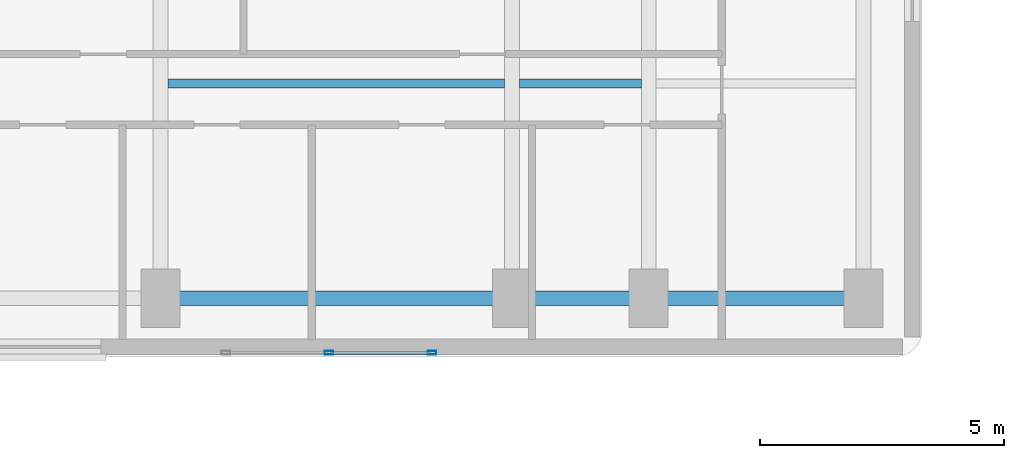
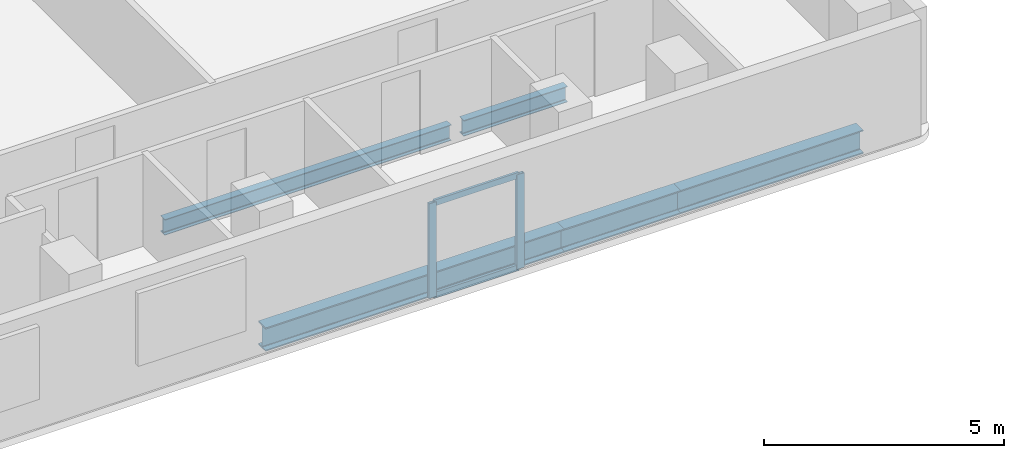
# One storey, part 6 of 15: 5 beams, 4 members, 1 element without a shape of its own.
"""IFC4 building model written with IfcOpenShell, lengths in metres."""

import ifcopenshell
import ifcopenshell.guid

model = None  # the IFC model being written
_history = None  # IfcOwnerHistory: only IFC2X3 demands one
_inside = {}  # id of a spatial element -> (the spatial element, [elements in it])
_under = {}  # id of a project, library or spatial element -> (it, [spatial elements below it])
_declared = {}  # id of a project -> (the project, [libraries it declares])
_typed = {}  # id of a type object -> (the type object, [elements of that type])
_made_of = {}  # id of a material, layer set ... -> (it, [elements and type objects made of it])


def new_model(schema):
    """Start an empty IFC model of exactly this schema.

    Asked for "IFC4X3", IfcOpenShell would pick the latest addendum, in which some entities
    have other attributes; the version numbers below select the first issue.
    IFC2X3 requires an IfcOwnerHistory on every rooted entity: one is made here for all.
    """
    global model, _history
    if schema == "IFC4X3":
        model = ifcopenshell.file(schema_version=(4, 3, 0, 0))
    else:
        model = ifcopenshell.file(schema=schema)
    _inside.clear()
    _under.clear()
    _declared.clear()
    _typed.clear()
    _made_of.clear()
    _history = None
    if model.schema == "IFC2X3":
        org = make("IfcOrganization", Name="unknown")
        user = make(
            "IfcPersonAndOrganization",
            ThePerson=make("IfcPerson", FamilyName="unknown"),
            TheOrganization=org,
        )
        app = make(
            "IfcApplication",
            ApplicationDeveloper=org,
            Version="unknown",
            ApplicationFullName="unknown",
            ApplicationIdentifier="unknown",
        )
        _history = make(
            "IfcOwnerHistory",
            OwningUser=user,
            OwningApplication=app,
            ChangeAction="ADDED",
            CreationDate=0,
        )
    return model


def make(cls, **values):
    """One entity of the class cls with the attributes given. An attribute that is None is left unset."""
    return model.create_entity(
        cls, **{name: value for name, value in values.items() if value is not None}
    )


def rooted(cls, **values):
    """An entity with a GlobalId (a new one), such as an element, a storey or a relation."""
    return make(cls, GlobalId=ifcopenshell.guid.new(), OwnerHistory=_history, **values)


def si_unit(unit_type, name, prefix=None):
    """IfcSIUnit, for example si_unit("LENGTHUNIT", "METRE", prefix="MILLI")."""
    return make("IfcSIUnit", UnitType=unit_type, Prefix=prefix, Name=name)


def assignment(units):
    """IfcUnitAssignment: the units of a project."""
    return None if units is None else make("IfcUnitAssignment", Units=units)


def point(xyz):
    """IfcCartesianPoint."""
    return None if xyz is None else make("IfcCartesianPoint", Coordinates=xyz)


def direction(xyz):
    """IfcDirection."""
    return None if xyz is None else make("IfcDirection", DirectionRatios=xyz)


def frame(location, z_axis=None, x_axis=None):
    """IfcAxis2Placement3D, a coordinate frame: its origin and axes. An axis left out is left unset."""
    return make(
        "IfcAxis2Placement3D",
        Location=point(location),
        Axis=direction(z_axis),
        RefDirection=direction(x_axis),
    )


def frame_2d(location, x_axis=None):
    """IfcAxis2Placement2D, a coordinate frame in the plane: its origin and x axis."""
    return make(
        "IfcAxis2Placement2D", Location=point(location), RefDirection=direction(x_axis)
    )


def origin():
    """The frame at (0, 0, 0) with its axes left unset."""
    return frame((0.0, 0.0, 0.0))


def origin_2d():
    """The frame at (0, 0) in the plane with its x axis left unset."""
    return frame_2d((0.0, 0.0))


def place(relative_to, where):
    """IfcLocalPlacement: puts the frame where relative to a parent placement (None: the world)."""
    return make(
        "IfcLocalPlacement", PlacementRelTo=relative_to, RelativePlacement=where
    )


def context(
    kind, dimensions, precision=None, world=None, true_north=None, identifier=None
):
    """IfcGeometricRepresentationContext, for example the 3D "Model" context."""
    return make(
        "IfcGeometricRepresentationContext",
        ContextIdentifier=identifier,
        ContextType=kind,
        CoordinateSpaceDimension=dimensions,
        Precision=precision,
        WorldCoordinateSystem=world,
        TrueNorth=true_north,
    )


def subcontext(parent, identifier, kind, view, scale=None):
    """IfcGeometricRepresentationSubContext, for example "Body" below "Model"."""
    return make(
        "IfcGeometricRepresentationSubContext",
        ContextIdentifier=identifier,
        ContextType=kind,
        ParentContext=parent,
        TargetScale=scale,
        TargetView=view,
    )


def project(units=None, contexts=None):
    """IfcProject with its units and contexts."""
    return rooted(
        "IfcProject",
        Name="project",
        RepresentationContexts=contexts,
        UnitsInContext=assignment(units),
    )


def spatial(cls, under=None, at=None, **own):
    """A site, building, storey or space (cls), placed at a placement, below another one or the project."""
    s = rooted(cls, ObjectPlacement=at, **own)
    if under is not None:
        _under.setdefault(under.id(), (under, []))[1].append(s)
    return s


def profile(cls, at=None, kind="AREA", **sizes):
    """A parametric profile (cls). Its sizes go by their IFC names, for example OverallWidth=200.0."""
    return make(cls, ProfileType=kind, Position=at, **sizes)


def hollow_rectangle(**sizes):
    """IfcRectangleHollowProfileDef."""
    return profile("IfcRectangleHollowProfileDef", **sizes)


def i_section(**sizes):
    """IfcIShapeProfileDef."""
    return profile("IfcIShapeProfileDef", **sizes)


def extrude(swept, where, along, depth):
    """IfcExtrudedAreaSolid: the profile swept, set in the frame where, extruded along a direction by depth."""
    return make(
        "IfcExtrudedAreaSolid",
        SweptArea=swept,
        Position=where,
        ExtrudedDirection=direction(along),
        Depth=depth,
    )


def shape(context_of_items, identifier, shape_type, items):
    """IfcShapeRepresentation: the items that make up one representation, for example the "Body"."""
    return make(
        "IfcShapeRepresentation",
        ContextOfItems=context_of_items,
        RepresentationIdentifier=identifier,
        RepresentationType=shape_type,
        Items=items,
    )


def material(Name=None, Category=None):
    """IfcMaterial."""
    return make("IfcMaterial", Name=Name, Category=Category)


def material_profile(
    of_material, cross_section, Name=None, Category=None, Priority=None
):
    """IfcMaterialProfile: a cross section and its material."""
    return make(
        "IfcMaterialProfile",
        Name=Name,
        Material=of_material,
        Profile=cross_section,
        Priority=Priority,
        Category=Category,
    )


def profile_set(profiles, Name=None, composite=None):
    """IfcMaterialProfileSet."""
    return make(
        "IfcMaterialProfileSet",
        Name=Name,
        MaterialProfiles=profiles,
        CompositeProfile=composite,
    )


def made_of(thing, what):
    """Note that an element or type object is made of a material, layer set ...; save() writes the relation."""
    if what is not None:
        _made_of.setdefault(what.id(), (what, []))[1].append(thing)
    return thing


def type_object(cls, material=None, **own):
    """A type object (cls), such as IfcWallType, which elements share."""
    return made_of(rooted(cls, **own), material)


def element(
    cls,
    number,
    at=None,
    inside=None,
    cuts=None,
    type_object=None,
    material=None,
    context=None,
    identifier="Body",
    shape_type=None,
    held_by="IfcProductDefinitionShape",
    body=None,
    shapes=None,
    **own,
):
    """One element of the class cls, such as IfcWall. Its Tag is "e" and its number.

    at: its placement. inside: the storey or other place that contains it. cuts: it is an
    opening in that element (IfcRelVoidsElement). A single representation is given by context,
    identifier, shape_type and body (its items); several are given by shapes. held_by: the class
    of the entity that holds the representations. save() writes the other relations.
    """
    e = rooted(cls, Tag="e%d" % number, ObjectPlacement=at, **own)
    if body is not None:
        shapes = [shape(context, identifier, shape_type, body)]
    if shapes is not None:
        e.Representation = make(held_by, Representations=shapes)
    if inside is not None:
        _inside.setdefault(inside.id(), (inside, []))[1].append(e)
    if cuts is not None:
        rooted(
            "IfcRelVoidsElement", RelatingBuildingElement=cuts, RelatedOpeningElement=e
        )
    if type_object is not None:
        _typed.setdefault(type_object.id(), (type_object, []))[1].append(e)
    return made_of(e, material)


def aggregate(whole, parts):
    """IfcRelAggregates: a whole, such as a stair, and the parts it consists of."""
    return rooted("IfcRelAggregates", RelatingObject=whole, RelatedObjects=parts)


def save(model, path):
    """Write the relations noted so far, then the file.

    IfcRelAggregates (storeys below a building ...), IfcRelContainedInSpatialStructure (elements
    in a storey), IfcRelDefinesByType, IfcRelAssociatesMaterial and IfcRelDeclares: one each for
    every whole, place, type object, material and project.
    """
    for whole, parts in _under.values():
        aggregate(whole, parts)
    for where, things in _inside.values():
        rooted(
            "IfcRelContainedInSpatialStructure",
            RelatedElements=things,
            RelatingStructure=where,
        )
    for kind, things in _typed.values():
        rooted("IfcRelDefinesByType", RelatedObjects=things, RelatingType=kind)
    for what, things in _made_of.values():
        rooted("IfcRelAssociatesMaterial", RelatedObjects=things, RelatingMaterial=what)
    for by, libraries in _declared.values():
        rooted("IfcRelDeclares", RelatingContext=by, RelatedDefinitions=libraries)
    model.write(path)


model = new_model("IFC4")

# Units and contexts
model_context = context("Model", 3, precision=1e-05, world=origin(), true_north=direction((0.0, 1.0)))
body_context = subcontext(model_context, "Body", "Model", "MODEL_VIEW")
ifc_project = project(units=[si_unit("LENGTHUNIT", "METRE"), si_unit("AREAUNIT", "SQUARE_METRE"), si_unit("VOLUMEUNIT", "CUBIC_METRE"), si_unit("PLANEANGLEUNIT", "RADIAN"), si_unit("MASSUNIT", "GRAM", prefix="KILO")], contexts=[model_context])

# Site, building, storey
site_placement = place(None, origin())
site = spatial("IfcSite", under=ifc_project, at=site_placement, CompositionType="ELEMENT")
building_placement = place(site_placement, origin())
building = spatial("IfcBuilding", under=site, at=building_placement, Name="Kuzgunbayir Cultural Tower", CompositionType="ELEMENT")
storey_placement = place(building_placement, frame((0.0, 0.0, 72.39990234375)))
storey = spatial("IfcBuildingStorey", under=building, at=storey_placement, Name="L20", CompositionType="ELEMENT", Elevation=72.39990234375)

# Beams
ifc_material_1 = material(Name="Steel S355J2", Category="steel")
ifc_material_profile_1 = material_profile(ifc_material_1, i_section(OverallWidth=0.300048828125, OverallDepth=0.60009765625, WebThickness=0.015380859375, FlangeThickness=0.030029296875, FilletRadius=0.027099609375, at=origin_2d()), Name="HEB 600")
ifc_profile_set_1 = profile_set([ifc_material_profile_1], Name="Steel S355J2")
beam_type_1 = type_object("IfcBeamType", Name="BM-EXT-HEB600", PredefinedType="BEAM", material=ifc_profile_set_1)
beam_1_placement = place(storey_placement, frame((31.199951171875, 27.60009765625, -0.47998046875), z_axis=(1.0, 0.0, 0.0), x_axis=(0.0, 1.0, 0.0)))
element("IfcBeam", 1, at=beam_1_placement, inside=storey, type_object=beam_type_1, Name="L20 Wing B South Girder 2", PredefinedType="BEAM", context=body_context, shape_type="SweptSolid", body=[
    extrude(i_section(OverallWidth=0.300048828125, OverallDepth=0.60009765625, WebThickness=0.015380859375, FlangeThickness=0.030029296875, FilletRadius=0.027099609375, at=origin_2d()), origin(), (0.0, 0.0, 1.0), 7.199951171875),
])
beam_2_placement = place(storey_placement, frame((38.39990234375, 27.60009765625, -0.47998046875), z_axis=(1.0, 0.0, 0.0), x_axis=(0.0, 1.0, 0.0)))
element("IfcBeam", 2, at=beam_2_placement, inside=storey, type_object=beam_type_1, Name="L20 Wing B South Girder 3", PredefinedType="BEAM", context=body_context, shape_type="SweptSolid", body=[
    extrude(i_section(OverallWidth=0.300048828125, OverallDepth=0.60009765625, WebThickness=0.015380859375, FlangeThickness=0.030029296875, FilletRadius=0.027099609375, at=origin_2d()), origin(), (0.0, 0.0, 1.0), 2.800048828125),
])
beam_3_placement = place(storey_placement, frame((41.199951171875, 27.60009765625, -0.47998046875), z_axis=(1.0, 0.0, 0.0), x_axis=(0.0, 1.0, 0.0)))
element("IfcBeam", 3, at=beam_3_placement, inside=storey, type_object=beam_type_1, Name="L20 Wing B South Girder 4", PredefinedType="BEAM", context=body_context, shape_type="SweptSolid", body=[
    extrude(i_section(OverallWidth=0.300048828125, OverallDepth=0.60009765625, WebThickness=0.015380859375, FlangeThickness=0.030029296875, FilletRadius=0.027099609375, at=origin_2d()), origin(), (0.0, 0.0, 1.0), 4.400146484375),
])
ifc_material_profile_2 = material_profile(ifc_material_1, i_section(OverallWidth=0.179931640625, OverallDepth=0.39990234375, WebThickness=0.008544921875, FlangeThickness=0.013427734375, FilletRadius=0.02099609375, at=origin_2d()), Name="IPE 400")
ifc_profile_set_2 = profile_set([ifc_material_profile_2], Name="Steel S355J2")
beam_type_2 = type_object("IfcBeamType", Name="BM-JST-IPE400", PredefinedType="JOIST", material=ifc_profile_set_2)
beam_4_placement = place(storey_placement, frame((31.35009765625, 32.0, -0.3798828125), z_axis=(1.0, 0.0, 0.0), x_axis=(0.0, 1.0, 0.0)))
element("IfcBeam", 4, at=beam_4_placement, inside=storey, type_object=beam_type_2, Name="L20 Wing B Secondary Joist 1.1", PredefinedType="JOIST", context=body_context, shape_type="SweptSolid", body=[
    extrude(i_section(OverallWidth=0.179931640625, OverallDepth=0.39990234375, WebThickness=0.008544921875, FlangeThickness=0.013427734375, FilletRadius=0.02099609375, at=origin_2d()), origin(), (0.0, 0.0, 1.0), 6.89990234375),
])
beam_5_placement = place(storey_placement, frame((38.550048828125, 32.0, -0.3798828125), z_axis=(1.0, 0.0, 0.0), x_axis=(0.0, 1.0, 0.0)))
element("IfcBeam", 5, at=beam_5_placement, inside=storey, type_object=beam_type_2, Name="L20 Wing B Secondary Joist 2.1", PredefinedType="JOIST", context=body_context, shape_type="SweptSolid", body=[
    extrude(i_section(OverallWidth=0.179931640625, OverallDepth=0.39990234375, WebThickness=0.008544921875, FlangeThickness=0.013427734375, FilletRadius=0.02099609375, at=origin_2d()), origin(), (0.0, 0.0, 1.0), 2.5),
])

# Curtain wall, members
ifc_material_2 = material(Name="Anodised Aluminium Framing", Category="aluminium")
curtain_wall_type = type_object("IfcCurtainWallType", Name="CW03-T1-OFFICE", PredefinedType="NOTDEFINED", material=ifc_material_2)
curtain_wall_placement = place(storey_placement, origin())
curtain_wall = element("IfcCurtainWall", 6, at=curtain_wall_placement, inside=storey, type_object=curtain_wall_type, Name="L20 Wing B South Feature Curtain Wall", PredefinedType="NOTDEFINED")
ifc_material_profile_3 = material_profile(ifc_material_2, hollow_rectangle(XDim=0.074951171875, YDim=0.179931640625, WallThickness=0.0048828125, at=origin_2d()), Name="RHS 180x75x5")
ifc_profile_set_3 = profile_set([ifc_material_profile_3], Name="Anodised Aluminium Framing")
member_type_1 = type_object("IfcMemberType", Name="MEM-CW-MULLION-180", PredefinedType="MULLION", material=ifc_profile_set_3)
member_1_placement = place(storey_placement, frame((34.64990234375, 26.47998046875, 0.0), z_axis=(0.0, 0.0, 1.0), x_axis=(0.0, 1.0, 0.0)))
member_1 = element("IfcMember", 7, at=member_1_placement, type_object=member_type_1, Name="CW03 mullion 2", PredefinedType="MULLION", context=body_context, shape_type="SweptSolid", body=[
    extrude(hollow_rectangle(XDim=0.074951171875, YDim=0.179931640625, WallThickness=0.0048828125, at=origin_2d()), origin(), (0.0, 0.0, 1.0), 2.41015625),
])
member_2_placement = place(storey_placement, frame((36.762451171875, 26.47998046875, 0.0), z_axis=(0.0, 0.0, 1.0), x_axis=(0.0, 1.0, 0.0)))
member_2 = element("IfcMember", 8, at=member_2_placement, type_object=member_type_1, Name="CW03 mullion 3", PredefinedType="MULLION", context=body_context, shape_type="SweptSolid", body=[
    extrude(hollow_rectangle(XDim=0.074951171875, YDim=0.179931640625, WallThickness=0.0048828125, at=origin_2d()), origin(), (0.0, 0.0, 1.0), 2.41015625),
])
ifc_material_profile_4 = material_profile(ifc_material_2, hollow_rectangle(XDim=0.06005859375, YDim=0.14990234375, WallThickness=0.00390625, at=origin_2d()), Name="RHS 150x60x4")
ifc_profile_set_4 = profile_set([ifc_material_profile_4], Name="Anodised Aluminium Framing")
member_type_2 = type_object("IfcMemberType", Name="MEM-CW-TRANSOM-150", PredefinedType="USERDEFINED", material=ifc_profile_set_4)
member_3_placement = place(storey_placement, frame((34.6875, 26.47998046875, 0.030029296875), z_axis=(1.0, 0.0, 0.0), x_axis=(0.0, 1.0, 0.0)))
member_3 = element("IfcMember", 9, at=member_3_placement, type_object=member_type_2, Name="CW03 transom 2.1", ObjectType="TRANSOM", PredefinedType="USERDEFINED", context=body_context, shape_type="SweptSolid", body=[
    extrude(hollow_rectangle(XDim=0.06005859375, YDim=0.14990234375, WallThickness=0.00390625, at=origin_2d()), origin(), (0.0, 0.0, 1.0), 2.03759765625),
])
member_4_placement = place(storey_placement, frame((34.6875, 26.47998046875, 2.380126953125), z_axis=(1.0, 0.0, 0.0), x_axis=(0.0, 1.0, 0.0)))
member_4 = element("IfcMember", 10, at=member_4_placement, type_object=member_type_2, Name="CW03 transom 2.2", ObjectType="TRANSOM", PredefinedType="USERDEFINED", context=body_context, shape_type="SweptSolid", body=[
    extrude(hollow_rectangle(XDim=0.06005859375, YDim=0.14990234375, WallThickness=0.00390625, at=origin_2d()), origin(), (0.0, 0.0, 1.0), 2.03759765625),
])
aggregate(curtain_wall, [member_1, member_2, member_3, member_4])

save(model, "model.ifc")
